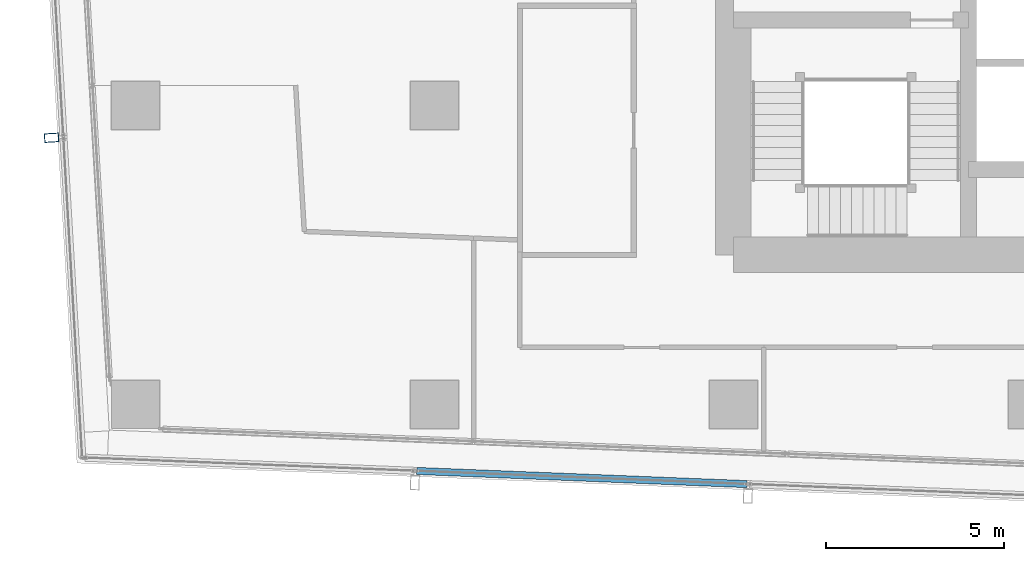
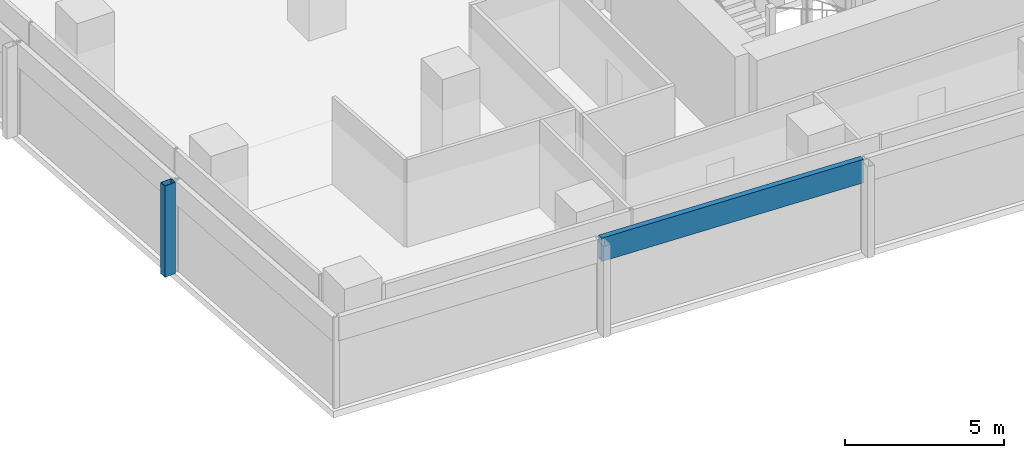
# One storey, part 4 of 40: 2 members, 2 elements without a shape of their own.
"""IFC4 building model written with IfcOpenShell, lengths in metres."""

from ifc_helpers import new_model, si_unit, direction, frame, origin, origin_2d, place, context, subcontext, project, spatial, hollow_rectangle, extrude, material, material_profile, profile_set, type_object, element, aggregate, save


model = new_model("IFC4")

# Units and contexts
model_context = context("Model", 3, precision=1e-05, world=origin(), true_north=direction((0.0, 1.0)))
body_context = subcontext(model_context, "Body", "Model", "MODEL_VIEW")
ifc_project = project(units=[si_unit("LENGTHUNIT", "METRE"), si_unit("AREAUNIT", "SQUARE_METRE"), si_unit("VOLUMEUNIT", "CUBIC_METRE"), si_unit("PLANEANGLEUNIT", "RADIAN"), si_unit("MASSUNIT", "GRAM", prefix="KILO")], contexts=[model_context])

# Site, building, storey
site_placement = place(None, origin())
site = spatial("IfcSite", under=ifc_project, at=site_placement, CompositionType="ELEMENT")
building_placement = place(site_placement, origin())
building = spatial("IfcBuilding", under=site, at=building_placement, Name="Rekha Terrace Tower", CompositionType="ELEMENT")
storey_placement = place(building_placement, frame((0.0, 0.0, 213.949951171875)))
storey = spatial("IfcBuildingStorey", under=building, at=storey_placement, Name="L54", CompositionType="ELEMENT", Elevation=213.949951171875)

# Curtain wall, member
ifc_material_1 = material(Name="Aluminium framing", Category="aluminium")
curtain_wall_type = type_object("IfcCurtainWallType", Name="CW2 double skin outer glazing", PredefinedType="USERDEFINED", material=ifc_material_1)
curtain_wall_1_placement = place(storey_placement, origin())
curtain_wall_1 = element("IfcCurtainWall", 1, at=curtain_wall_1_placement, inside=storey, type_object=curtain_wall_type, Name="CW2 double skin outer glazing", ObjectType="DOUBLE SKIN OUTER GLAZING", PredefinedType="USERDEFINED")
ifc_material_2 = material(Name="Steel S355 with fluorocarbon finish", Category="steel")
ifc_material_profile_1 = material_profile(ifc_material_2, hollow_rectangle(XDim=0.25, YDim=0.39990234375, WallThickness=0.012451171875, at=origin_2d()), Name="RHS400x250x12.5")
ifc_profile_set_1 = profile_set([ifc_material_profile_1], Name="Steel S355 with fluorocarbon finish")
member_type_1 = type_object("IfcMemberType", Name="BL1 facade blade RHS 400 x 250", PredefinedType="USERDEFINED", material=ifc_profile_set_1)
member_1_placement = place(storey_placement, frame((6.03662109375, 24.292236328125, 0.0), z_axis=(0.0, 0.0, 1.0), x_axis=(0.058764522885, -0.998271872212, 0.0)))
member_1 = element("IfcMember", 2, at=member_1_placement, type_object=member_type_1, Name="Facade blade", ObjectType="FACADE BLADE", PredefinedType="USERDEFINED", context=body_context, shape_type="SweptSolid", body=[
    extrude(hollow_rectangle(XDim=0.25, YDim=0.39990234375, WallThickness=0.012451171875, at=origin_2d()), origin(), (0.0, 0.0, 1.0), 3.5),
])
aggregate(curtain_wall_1, [member_1])

curtain_wall_2_placement = place(storey_placement, origin())
curtain_wall_2 = element("IfcCurtainWall", 3, at=curtain_wall_2_placement, inside=storey, type_object=curtain_wall_type, Name="CW2 double skin outer glazing", ObjectType="DOUBLE SKIN OUTER GLAZING", PredefinedType="USERDEFINED")
ifc_material_3 = material(Name="Insulated aluminium spandrel box", Category="aluminium")
ifc_material_profile_2 = material_profile(ifc_material_3, hollow_rectangle(XDim=0.199951171875, YDim=0.89990234375, WallThickness=0.0029296875, at=origin_2d()), Name="AL SPANDREL BOX 200x900")
ifc_profile_set_2 = profile_set([ifc_material_profile_2], Name="Insulated aluminium spandrel box")
member_type_2 = type_object("IfcMemberType", Name="CW2 spandrel transom 200 x 900", PredefinedType="USERDEFINED", material=ifc_profile_set_2)
member_2_placement = place(storey_placement, frame((16.2998046875, 14.928955078125, 3.050048828125), z_axis=(0.999205404308, -0.039856743486, 0.0), x_axis=(0.039856743486, 0.999205404308, 0.0)))
member_2 = element("IfcMember", 4, at=member_2_placement, type_object=member_type_2, Name="CW2 spandrel transom 2", ObjectType="TRANSOM", PredefinedType="USERDEFINED", context=body_context, shape_type="SweptSolid", body=[
    extrude(hollow_rectangle(XDim=0.199951171875, YDim=0.89990234375, WallThickness=0.0029296875, at=origin_2d()), origin(), (0.0, 0.0, 1.0), 9.2861328125),
])
aggregate(curtain_wall_2, [member_2])

save(model, "model.ifc")
